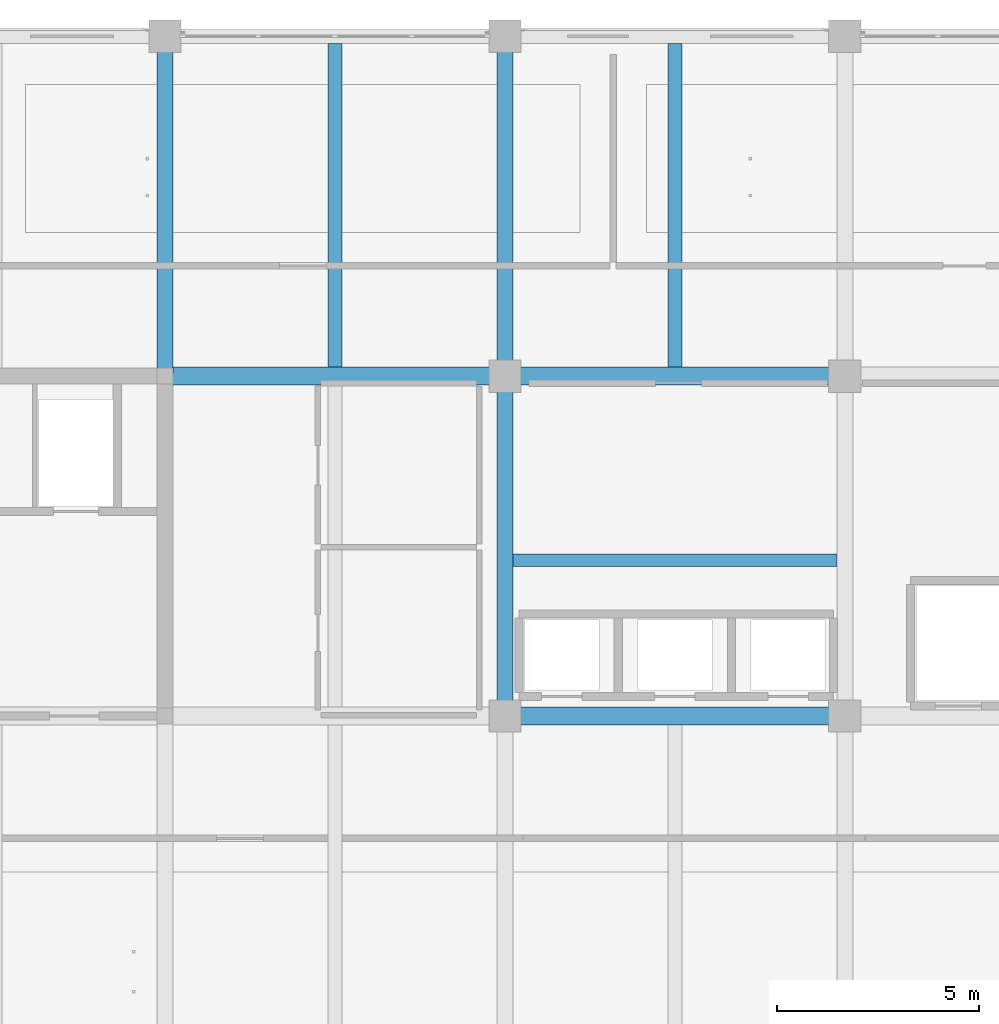
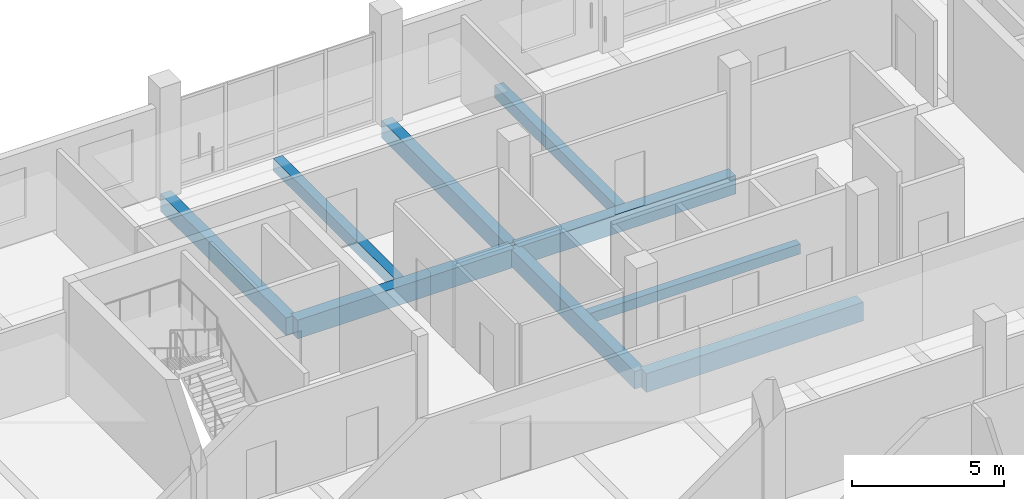
# One storey, part 5 of 34: 9 beams.
"""IFC4 building model written with IfcOpenShell, lengths in metres."""

import ifcopenshell
import ifcopenshell.guid

model = None  # the IFC model being written
_history = None  # IfcOwnerHistory: only IFC2X3 demands one
_inside = {}  # id of a spatial element -> (the spatial element, [elements in it])
_under = {}  # id of a project, library or spatial element -> (it, [spatial elements below it])
_declared = {}  # id of a project -> (the project, [libraries it declares])
_typed = {}  # id of a type object -> (the type object, [elements of that type])
_made_of = {}  # id of a material, layer set ... -> (it, [elements and type objects made of it])


def new_model(schema):
    """Start an empty IFC model of exactly this schema.

    Asked for "IFC4X3", IfcOpenShell would pick the latest addendum, in which some entities
    have other attributes; the version numbers below select the first issue.
    IFC2X3 requires an IfcOwnerHistory on every rooted entity: one is made here for all.
    """
    global model, _history
    if schema == "IFC4X3":
        model = ifcopenshell.file(schema_version=(4, 3, 0, 0))
    else:
        model = ifcopenshell.file(schema=schema)
    _inside.clear()
    _under.clear()
    _declared.clear()
    _typed.clear()
    _made_of.clear()
    _history = None
    if model.schema == "IFC2X3":
        org = make("IfcOrganization", Name="unknown")
        user = make(
            "IfcPersonAndOrganization",
            ThePerson=make("IfcPerson", FamilyName="unknown"),
            TheOrganization=org,
        )
        app = make(
            "IfcApplication",
            ApplicationDeveloper=org,
            Version="unknown",
            ApplicationFullName="unknown",
            ApplicationIdentifier="unknown",
        )
        _history = make(
            "IfcOwnerHistory",
            OwningUser=user,
            OwningApplication=app,
            ChangeAction="ADDED",
            CreationDate=0,
        )
    return model


def make(cls, **values):
    """One entity of the class cls with the attributes given. An attribute that is None is left unset."""
    return model.create_entity(
        cls, **{name: value for name, value in values.items() if value is not None}
    )


def rooted(cls, **values):
    """An entity with a GlobalId (a new one), such as an element, a storey or a relation."""
    return make(cls, GlobalId=ifcopenshell.guid.new(), OwnerHistory=_history, **values)


def si_unit(unit_type, name, prefix=None):
    """IfcSIUnit, for example si_unit("LENGTHUNIT", "METRE", prefix="MILLI")."""
    return make("IfcSIUnit", UnitType=unit_type, Prefix=prefix, Name=name)


def assignment(units):
    """IfcUnitAssignment: the units of a project."""
    return None if units is None else make("IfcUnitAssignment", Units=units)


def point(xyz):
    """IfcCartesianPoint."""
    return None if xyz is None else make("IfcCartesianPoint", Coordinates=xyz)


def direction(xyz):
    """IfcDirection."""
    return None if xyz is None else make("IfcDirection", DirectionRatios=xyz)


def frame(location, z_axis=None, x_axis=None):
    """IfcAxis2Placement3D, a coordinate frame: its origin and axes. An axis left out is left unset."""
    return make(
        "IfcAxis2Placement3D",
        Location=point(location),
        Axis=direction(z_axis),
        RefDirection=direction(x_axis),
    )


def frame_2d(location, x_axis=None):
    """IfcAxis2Placement2D, a coordinate frame in the plane: its origin and x axis."""
    return make(
        "IfcAxis2Placement2D", Location=point(location), RefDirection=direction(x_axis)
    )


def origin():
    """The frame at (0, 0, 0) with its axes left unset."""
    return frame((0.0, 0.0, 0.0))


def origin_2d():
    """The frame at (0, 0) in the plane with its x axis left unset."""
    return frame_2d((0.0, 0.0))


def place(relative_to, where):
    """IfcLocalPlacement: puts the frame where relative to a parent placement (None: the world)."""
    return make(
        "IfcLocalPlacement", PlacementRelTo=relative_to, RelativePlacement=where
    )


def context(
    kind, dimensions, precision=None, world=None, true_north=None, identifier=None
):
    """IfcGeometricRepresentationContext, for example the 3D "Model" context."""
    return make(
        "IfcGeometricRepresentationContext",
        ContextIdentifier=identifier,
        ContextType=kind,
        CoordinateSpaceDimension=dimensions,
        Precision=precision,
        WorldCoordinateSystem=world,
        TrueNorth=true_north,
    )


def subcontext(parent, identifier, kind, view, scale=None):
    """IfcGeometricRepresentationSubContext, for example "Body" below "Model"."""
    return make(
        "IfcGeometricRepresentationSubContext",
        ContextIdentifier=identifier,
        ContextType=kind,
        ParentContext=parent,
        TargetScale=scale,
        TargetView=view,
    )


def project(units=None, contexts=None):
    """IfcProject with its units and contexts."""
    return rooted(
        "IfcProject",
        Name="project",
        RepresentationContexts=contexts,
        UnitsInContext=assignment(units),
    )


def spatial(cls, under=None, at=None, **own):
    """A site, building, storey or space (cls), placed at a placement, below another one or the project."""
    s = rooted(cls, ObjectPlacement=at, **own)
    if under is not None:
        _under.setdefault(under.id(), (under, []))[1].append(s)
    return s


def profile(cls, at=None, kind="AREA", **sizes):
    """A parametric profile (cls). Its sizes go by their IFC names, for example OverallWidth=200.0."""
    return make(cls, ProfileType=kind, Position=at, **sizes)


def rectangle(**sizes):
    """IfcRectangleProfileDef."""
    return profile("IfcRectangleProfileDef", **sizes)


def extrude(swept, where, along, depth):
    """IfcExtrudedAreaSolid: the profile swept, set in the frame where, extruded along a direction by depth."""
    return make(
        "IfcExtrudedAreaSolid",
        SweptArea=swept,
        Position=where,
        ExtrudedDirection=direction(along),
        Depth=depth,
    )


def shape(context_of_items, identifier, shape_type, items):
    """IfcShapeRepresentation: the items that make up one representation, for example the "Body"."""
    return make(
        "IfcShapeRepresentation",
        ContextOfItems=context_of_items,
        RepresentationIdentifier=identifier,
        RepresentationType=shape_type,
        Items=items,
    )


def material(Name=None, Category=None):
    """IfcMaterial."""
    return make("IfcMaterial", Name=Name, Category=Category)


def material_profile(
    of_material, cross_section, Name=None, Category=None, Priority=None
):
    """IfcMaterialProfile: a cross section and its material."""
    return make(
        "IfcMaterialProfile",
        Name=Name,
        Material=of_material,
        Profile=cross_section,
        Priority=Priority,
        Category=Category,
    )


def profile_set(profiles, Name=None, composite=None):
    """IfcMaterialProfileSet."""
    return make(
        "IfcMaterialProfileSet",
        Name=Name,
        MaterialProfiles=profiles,
        CompositeProfile=composite,
    )


def made_of(thing, what):
    """Note that an element or type object is made of a material, layer set ...; save() writes the relation."""
    if what is not None:
        _made_of.setdefault(what.id(), (what, []))[1].append(thing)
    return thing


def type_object(cls, material=None, **own):
    """A type object (cls), such as IfcWallType, which elements share."""
    return made_of(rooted(cls, **own), material)


def element(
    cls,
    number,
    at=None,
    inside=None,
    cuts=None,
    type_object=None,
    material=None,
    context=None,
    identifier="Body",
    shape_type=None,
    held_by="IfcProductDefinitionShape",
    body=None,
    shapes=None,
    **own,
):
    """One element of the class cls, such as IfcWall. Its Tag is "e" and its number.

    at: its placement. inside: the storey or other place that contains it. cuts: it is an
    opening in that element (IfcRelVoidsElement). A single representation is given by context,
    identifier, shape_type and body (its items); several are given by shapes. held_by: the class
    of the entity that holds the representations. save() writes the other relations.
    """
    e = rooted(cls, Tag="e%d" % number, ObjectPlacement=at, **own)
    if body is not None:
        shapes = [shape(context, identifier, shape_type, body)]
    if shapes is not None:
        e.Representation = make(held_by, Representations=shapes)
    if inside is not None:
        _inside.setdefault(inside.id(), (inside, []))[1].append(e)
    if cuts is not None:
        rooted(
            "IfcRelVoidsElement", RelatingBuildingElement=cuts, RelatedOpeningElement=e
        )
    if type_object is not None:
        _typed.setdefault(type_object.id(), (type_object, []))[1].append(e)
    return made_of(e, material)


def aggregate(whole, parts):
    """IfcRelAggregates: a whole, such as a stair, and the parts it consists of."""
    return rooted("IfcRelAggregates", RelatingObject=whole, RelatedObjects=parts)


def save(model, path):
    """Write the relations noted so far, then the file.

    IfcRelAggregates (storeys below a building ...), IfcRelContainedInSpatialStructure (elements
    in a storey), IfcRelDefinesByType, IfcRelAssociatesMaterial and IfcRelDeclares: one each for
    every whole, place, type object, material and project.
    """
    for whole, parts in _under.values():
        aggregate(whole, parts)
    for where, things in _inside.values():
        rooted(
            "IfcRelContainedInSpatialStructure",
            RelatedElements=things,
            RelatingStructure=where,
        )
    for kind, things in _typed.values():
        rooted("IfcRelDefinesByType", RelatedObjects=things, RelatingType=kind)
    for what, things in _made_of.values():
        rooted("IfcRelAssociatesMaterial", RelatedObjects=things, RelatingMaterial=what)
    for by, libraries in _declared.values():
        rooted("IfcRelDeclares", RelatingContext=by, RelatedDefinitions=libraries)
    model.write(path)


model = new_model("IFC4")

# Units and contexts
model_context = context("Model", 3, precision=1e-05, world=origin(), true_north=direction((0.0, 1.0)))
body_context = subcontext(model_context, "Body", "Model", "MODEL_VIEW")
ifc_project = project(units=[si_unit("LENGTHUNIT", "METRE"), si_unit("AREAUNIT", "SQUARE_METRE"), si_unit("VOLUMEUNIT", "CUBIC_METRE"), si_unit("PLANEANGLEUNIT", "RADIAN"), si_unit("MASSUNIT", "GRAM", prefix="KILO")], contexts=[model_context])

# Site, building, storey
site_placement = place(None, origin())
site = spatial("IfcSite", under=ifc_project, at=site_placement, CompositionType="ELEMENT")
building_placement = place(site_placement, origin())
building = spatial("IfcBuilding", under=site, at=building_placement, Name="Telukmera Botanical Conservatory", CompositionType="ELEMENT")
storey_placement = place(building_placement, frame((0.0, 0.0, 37.5)))
storey = spatial("IfcBuildingStorey", under=building, at=storey_placement, Name="L08", CompositionType="ELEMENT", Elevation=37.5)

# Beams
ifc_material_1 = material(Name="Concrete C40/50", Category="concrete")
ifc_material_profile_1 = material_profile(ifc_material_1, rectangle(XDim=0.35009765625, YDim=0.5, at=origin_2d()), Name="RC 350x500")
ifc_profile_set_1 = profile_set([ifc_material_profile_1], Name="Concrete C40/50")
beam_type_1 = type_object("IfcBeamType", Name="Beam_B22", PredefinedType="JOIST", material=ifc_profile_set_1)
for number, where, z_axis, x_axis, name in (
    (1, (71.39990234375, 34.625, -0.25), (0.0, 1.0, 0.0), (-1.0, 0.0, 0.0), "Tower Secondary Floor Joist L08"),
    (2, (79.800048828125, 34.625, -0.25), (0.0, 1.0, 0.0), (-1.0, 0.0, 0.0), "Tower Secondary Floor Joist L08"),
):
    element("IfcBeam", number, at=place(storey_placement, frame(where, z_axis=z_axis, x_axis=x_axis)), inside=storey, type_object=beam_type_1, Name=name, PredefinedType="JOIST", context=body_context, shape_type="SweptSolid", body=[
        extrude(rectangle(XDim=0.35009765625, YDim=0.5, at=origin_2d()), origin(), (0.0, 0.0, 1.0), 8.0),
    ])
ifc_material_profile_2 = material_profile(ifc_material_1, rectangle(XDim=0.449951171875, YDim=0.75, at=origin_2d()), Name="RC 450x750")
ifc_profile_set_2 = profile_set([ifc_material_profile_2], Name="Concrete C40/50")
beam_type_2 = type_object("IfcBeamType", Name="Beam_B6", PredefinedType="BEAM", material=ifc_profile_set_2)
for number, where, z_axis, x_axis, name in (
    (3, (75.679931640625, 26.0, -0.375), (1.0, 0.0, 0.0), (0.0, 1.0, 0.0), "Tower Grid Beam L08"),
    (4, (67.280029296875, 34.39990234375, -0.375), (1.0, 0.0, 0.0), (0.0, 1.0, 0.0), "Tower Grid Beam L08"),
    (5, (75.679931640625, 34.39990234375, -0.375), (1.0, 0.0, 0.0), (0.0, 1.0, 0.0), "Tower Grid Beam L08"),
):
    element("IfcBeam", number, at=place(storey_placement, frame(where, z_axis=z_axis, x_axis=x_axis)), inside=storey, type_object=beam_type_2, Name=name, PredefinedType="BEAM", context=body_context, shape_type="SweptSolid", body=[
        extrude(rectangle(XDim=0.449951171875, YDim=0.75, at=origin_2d()), origin(), (0.0, 0.0, 1.0), 8.239990234375),
    ])
ifc_material_profile_3 = material_profile(ifc_material_1, rectangle(XDim=0.39990234375, YDim=0.699951171875, at=origin_2d()), Name="RC 400x700")
ifc_profile_set_3 = profile_set([ifc_material_profile_3], Name="Concrete C40/50")
beam_type_3 = type_object("IfcBeamType", Name="Beam_B7", PredefinedType="BEAM", material=ifc_profile_set_3)
for number, where, z_axis, x_axis, name in (
    (6, (67.199951171875, 34.47998046875, -0.35009765625), (0.0, 1.0, 0.0), (-1.0, 0.0, 0.0), "Tower Transverse Beam L08"),
    (7, (75.60009765625, 26.080078125, -0.35009765625), (0.0, 1.0, 0.0), (-1.0, 0.0, 0.0), "Tower Transverse Beam L08"),
    (8, (75.60009765625, 34.47998046875, -0.35009765625), (0.0, 1.0, 0.0), (-1.0, 0.0, 0.0), "Tower Transverse Beam L08"),
):
    element("IfcBeam", number, at=place(storey_placement, frame(where, z_axis=z_axis, x_axis=x_axis)), inside=storey, type_object=beam_type_3, Name=name, PredefinedType="BEAM", context=body_context, shape_type="SweptSolid", body=[
        extrude(rectangle(XDim=0.39990234375, YDim=0.699951171875, at=origin_2d()), origin(), (0.0, 0.0, 1.0), 8.239990234375),
    ])
ifc_material_2 = material(Name="Precast concrete C40/50", Category="concrete")
ifc_material_profile_4 = material_profile(ifc_material_2, rectangle(XDim=0.300048828125, YDim=0.39990234375, at=origin_2d()), Name="PC 300x400")
ifc_profile_set_4 = profile_set([ifc_material_profile_4], Name="Precast concrete C40/50")
beam_type_4 = type_object("IfcBeamType", Name="Beam_LN1", PredefinedType="LINTEL", material=ifc_profile_set_4)
beam_placement = place(storey_placement, frame((75.800048828125, 29.85009765625, -0.199951171875), z_axis=(1.0, 0.0, 0.0), x_axis=(0.0, 1.0, 0.0)))
element("IfcBeam", 9, at=beam_placement, inside=storey, type_object=beam_type_4, Name="Tower Lift Bank Header Lintel L08", PredefinedType="LINTEL", context=body_context, shape_type="SweptSolid", body=[
    extrude(rectangle(XDim=0.300048828125, YDim=0.39990234375, at=origin_2d()), origin(), (0.0, 0.0, 1.0), 8.0),
])

save(model, "model.ifc")
